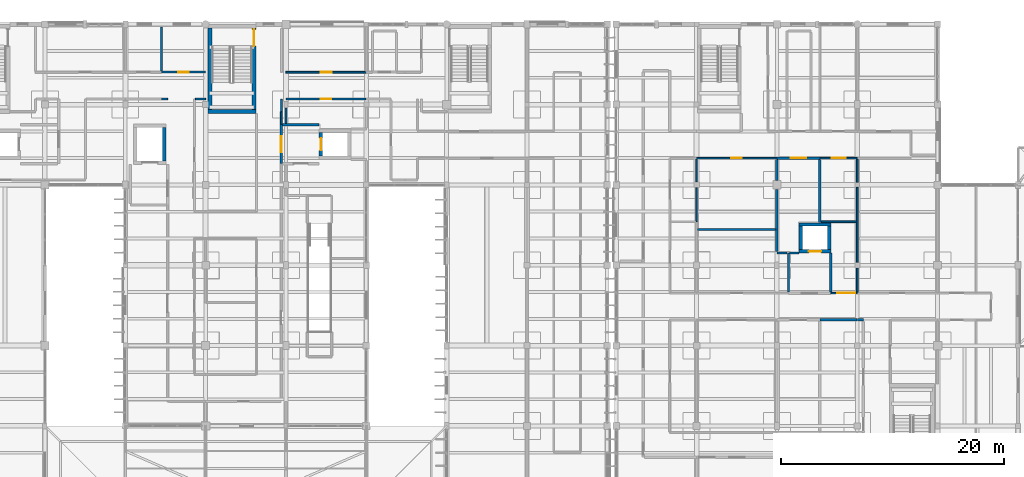
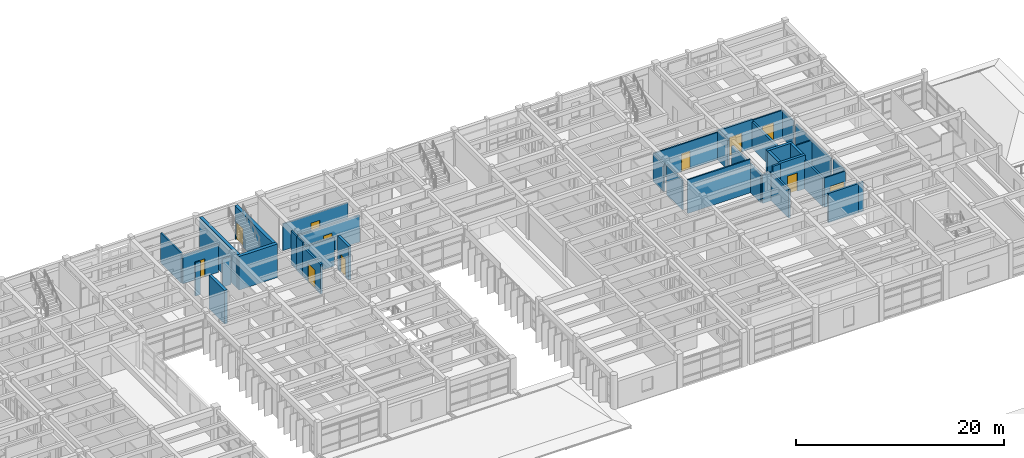
# One storey, part 79 of 100: 40 walls, 11 doors, 11 openings.
"""IFC4 building model written with IfcOpenShell, lengths in metres."""

from ifc_helpers import new_model, si_unit, direction, frame, frame_2d, origin, place, context, subcontext, project, spatial, rectangle, extrude, material, layer, layer_set, type_object, element, fill, save


model = new_model("IFC4")

# Units and contexts
model_context = context("Model", 3, precision=1e-05, world=origin(), true_north=direction((0.0, 1.0)))
body_context = subcontext(model_context, "Body", "Model", "MODEL_VIEW")
ifc_project = project(units=[si_unit("LENGTHUNIT", "METRE"), si_unit("AREAUNIT", "SQUARE_METRE"), si_unit("VOLUMEUNIT", "CUBIC_METRE"), si_unit("PLANEANGLEUNIT", "RADIAN"), si_unit("MASSUNIT", "GRAM", prefix="KILO")], contexts=[model_context])

# Site, building, storey
site_placement = place(None, origin())
site = spatial("IfcSite", under=ifc_project, at=site_placement, CompositionType="ELEMENT")
building_placement = place(site_placement, origin())
building = spatial("IfcBuilding", under=site, at=building_placement, Name="Steenspoor Specialist Clinic", CompositionType="ELEMENT")
storey_placement = place(building_placement, frame((0.0, 0.0, 9.0)))
storey = spatial("IfcBuildingStorey", under=building, at=storey_placement, Name="L02", CompositionType="ELEMENT", Elevation=9.0)

# Walls
ifc_material_1 = material(Name="Gypsum acoustic clinical partition", Category="gypsum")
ifc_layer_1 = layer(ifc_material_1, 0.14990234375)
ifc_layer_set_1 = layer_set([ifc_layer_1], Name="Gypsum acoustic clinical partition")
wall_type_1 = type_object("IfcWallType", Name="W-CLIN-150", PredefinedType="PARTITIONING", material=ifc_layer_set_1)
wall_1_placement = place(storey_placement, frame((77.264892578125, 101.64990234375, 0.0), z_axis=(0.0, 0.0, 1.0), x_axis=(1.0, 0.0, 0.0)))
element("IfcWall", 1, at=wall_1_placement, inside=storey, type_object=wall_type_1, Name="Interior Partition IW-V4-L02-1315", PredefinedType="PARTITIONING", context=body_context, shape_type="SweptSolid", body=[
    extrude(rectangle(XDim=0.53515625, YDim=0.14990234375, at=frame_2d((0.267578125, 0.0))), origin(), (0.0, 0.0, 1.0), 3.949951171875),
])
for number, where, z_axis, x_axis, name in (
    (2, (87.969970703125, 99.364990234375, 0.0), (0.0, 0.0, 1.0), (0.0, 1.0, 0.0), "Interior Partition IW-V4-L02-1319"),
    (3, (88.0, 100.514892578125, 0.0), (0.0, 0.0, 1.0), (0.0, 1.0, 0.0), "Interior Partition IW-V4-L02-1320"),
):
    element("IfcWall", number, at=place(storey_placement, frame(where, z_axis=z_axis, x_axis=x_axis)), inside=storey, type_object=wall_type_1, Name=name, PredefinedType="PARTITIONING", context=body_context, shape_type="SweptSolid", body=[
        extrude(rectangle(XDim=1.135009765625, YDim=0.14990234375, at=frame_2d((0.5673828125, 0.0))), origin(), (0.0, 0.0, 1.0), 3.949951171875),
    ])
wall_2_placement = place(storey_placement, frame((80.2900390625, 101.64990234375, 0.0), z_axis=(0.0, 0.0, 1.0), x_axis=(1.0, 0.0, 0.0)))
element("IfcWall", 4, at=wall_2_placement, inside=storey, type_object=wall_type_1, Name="Interior Partition IW-V4-L02-1331", PredefinedType="PARTITIONING", context=body_context, shape_type="SweptSolid", body=[
    extrude(rectangle(XDim=0.909912109375, YDim=0.14990234375, at=frame_2d((0.455078125, 0.0))), origin(), (0.0, 0.0, 1.0), 3.284912109375),
])

# Wall, opening, door
wall_3_placement = place(storey_placement, frame((88.39990234375, 104.050048828125, 0.0), z_axis=(0.0, 0.0, 1.0), x_axis=(1.0, 0.0, 0.0)))
wall_3 = element("IfcWall", 5, at=wall_3_placement, inside=storey, type_object=wall_type_1, Name="Interior Partition IW-V4-L02-1347", PredefinedType="PARTITIONING", context=body_context, shape_type="SweptSolid", body=[
    extrude(rectangle(XDim=7.2001953125, YDim=0.14990234375, at=frame_2d((3.60009765625, 0.0))), origin(), (0.0, 0.0, 1.0), 3.135009765625),
])
opening_1_placement = place(wall_3_placement, frame((3.10009765625, 0.0, 0.0)))
opening_1 = element("IfcOpeningElement", 6, at=opening_1_placement, cuts=wall_3, Name="Opening D0251", PredefinedType="OPENING", context=body_context, shape_type="SweptSolid", body=[
    extrude(rectangle(XDim=1.0, YDim=2.14990234375, at=frame_2d((0.5, 1.074951171875))), frame((0.0, 0.0849609375, 0.0), z_axis=(0.0, -1.0, 0.0), x_axis=(1.0, 0.0, 0.0)), (0.0, 0.0, 1.0), 0.169921875),
])
ifc_material_2 = material(Name="Moisture-resistant HPL accessible WC door", Category="wood")
door_type_1 = type_object("IfcDoorType", Name="DT-AWC-100X215", OperationType="NOTDEFINED", PredefinedType="DOOR", material=ifc_material_2)
door_1_placement = place(opening_1_placement, origin())
door_1 = element("IfcDoor", 7, at=door_1_placement, inside=storey, type_object=door_type_1, Name="Clinical Door D0251", OperationType="SINGLE_SWING_RIGHT", OverallHeight=2.14990234375, OverallWidth=1.0, PredefinedType="DOOR", context=body_context, shape_type="SweptSolid", body=[
    extrude(rectangle(XDim=1.0, YDim=2.14990234375, at=frame_2d((0.5, 1.074951171875))), frame((0.0, 0.02490234375, 0.0), z_axis=(0.0, -1.0, 0.0), x_axis=(1.0, 0.0, 0.0)), (0.0, 0.0, 1.0), 0.050048828125),
])
fill(opening_1, door_1)

wall_4_placement = place(storey_placement, frame((125.199951171875, 96.35009765625, 0.0), z_axis=(0.0, 0.0, 1.0), x_axis=(1.0, 0.0, 0.0)))
wall_4 = element("IfcWall", 8, at=wall_4_placement, inside=storey, type_object=wall_type_1, Name="Interior Partition IW-V6-L02-1375", PredefinedType="PARTITIONING", context=body_context, shape_type="SweptSolid", body=[
    extrude(rectangle(XDim=7.18505859375, YDim=0.14990234375, at=frame_2d((3.592529296875, 0.0))), origin(), (0.0, 0.0, 1.0), 3.215087890625),
])
opening_2_placement = place(wall_4_placement, frame((3.117431640625, 0.0, 0.0)))
opening_2 = element("IfcOpeningElement", 9, at=opening_2_placement, cuts=wall_4, Name="Opening D0474", PredefinedType="OPENING", context=body_context, shape_type="SweptSolid", body=[
    extrude(rectangle(XDim=0.949951171875, YDim=2.10009765625, at=frame_2d((0.47509765625, 1.050048828125))), frame((0.0, 0.0849609375, 0.0), z_axis=(0.0, -1.0, 0.0), x_axis=(1.0, 0.0, 0.0)), (0.0, 0.0, 1.0), 0.169921875),
])
ifc_material_3 = material(Name="Moisture-resistant HPL sanitary door", Category="wood")
door_type_2 = type_object("IfcDoorType", Name="DT-WC-095X210", OperationType="NOTDEFINED", PredefinedType="DOOR", material=ifc_material_3)
door_2_placement = place(opening_2_placement, origin())
door_2 = element("IfcDoor", 10, at=door_2_placement, inside=storey, type_object=door_type_2, Name="Clinical Door D0474", OperationType="SINGLE_SWING_LEFT", OverallHeight=2.10009765625, OverallWidth=0.949951171875, PredefinedType="DOOR", context=body_context, shape_type="SweptSolid", body=[
    extrude(rectangle(XDim=0.949951171875, YDim=2.10009765625, at=frame_2d((0.47509765625, 1.050048828125))), frame((0.0, 0.02490234375, 0.0), z_axis=(0.0, -1.0, 0.0), x_axis=(1.0, 0.0, 0.0)), (0.0, 0.0, 1.0), 0.050048828125),
])
fill(opening_2, door_2)

wall_5_placement = place(storey_placement, frame((136.264892578125, 96.35009765625, 0.0), z_axis=(0.0, 0.0, 1.0), x_axis=(1.0, 0.0, 0.0)))
wall_5 = element("IfcWall", 11, at=wall_5_placement, inside=storey, type_object=wall_type_1, Name="Interior Partition IW-V6-L02-1376", PredefinedType="PARTITIONING", context=body_context, shape_type="SweptSolid", body=[
    extrude(rectangle(XDim=3.320068359375, YDim=0.14990234375, at=frame_2d((1.66015625, 0.0))), origin(), (0.0, 0.0, 1.0), 3.284912109375),
])
opening_3_placement = place(wall_5_placement, frame((1.034912109375, 0.0, 0.0)))
opening_3 = element("IfcOpeningElement", 12, at=opening_3_placement, cuts=wall_5, Name="Opening D0476", PredefinedType="OPENING", context=body_context, shape_type="SweptSolid", body=[
    extrude(rectangle(XDim=1.25, YDim=2.14990234375, at=frame_2d((0.625, 1.074951171875))), frame((0.0, 0.0849609375, 0.0), z_axis=(0.0, -1.0, 0.0), x_axis=(1.0, 0.0, 0.0)), (0.0, 0.0, 1.0), 0.169921875),
])
ifc_material_4 = material(Name="Hygienic HPL clinical timber door", Category="wood")
door_type_3 = type_object("IfcDoorType", Name="DT-EXAM-125X215", OperationType="NOTDEFINED", PredefinedType="DOOR", material=ifc_material_4)
door_3_placement = place(opening_3_placement, origin())
door_3 = element("IfcDoor", 13, at=door_3_placement, inside=storey, type_object=door_type_3, Name="Clinical Door D0476", OperationType="SINGLE_SWING_LEFT", OverallHeight=2.14990234375, OverallWidth=1.25, PredefinedType="DOOR", context=body_context, shape_type="SweptSolid", body=[
    extrude(rectangle(XDim=1.25, YDim=2.14990234375, at=frame_2d((0.625, 1.074951171875))), frame((0.0, 0.02490234375, 0.0), z_axis=(0.0, -1.0, 0.0), x_axis=(1.0, 0.0, 0.0)), (0.0, 0.0, 1.0), 0.050048828125),
])
fill(opening_3, door_3)

# Walls
wall_6_placement = place(storey_placement, frame((125.2900390625, 89.949951171875, 0.0), z_axis=(0.0, 0.0, 1.0), x_axis=(1.0, 0.0, 0.0)))
element("IfcWall", 14, at=wall_6_placement, inside=storey, type_object=wall_type_1, Name="Interior Partition IW-V6-L02-1494", PredefinedType="PARTITIONING", context=body_context, shape_type="SweptSolid", body=[
    extrude(rectangle(XDim=6.98486328125, YDim=0.14990234375, at=frame_2d((3.492431640625, 0.0))), origin(), (0.0, 0.0, 1.0), 3.949951171875),
])
wall_7_placement = place(storey_placement, frame((139.60009765625, 84.340087890625, 0.0), z_axis=(0.0, 0.0, 1.0), x_axis=(0.0, 1.0, 0.0)))
element("IfcWall", 15, at=wall_7_placement, inside=storey, type_object=wall_type_1, Name="Interior Partition IW-V6-L02-1495", PredefinedType="PARTITIONING", context=body_context, shape_type="SweptSolid", body=[
    extrude(rectangle(XDim=2.169921875, YDim=0.14990234375, at=frame_2d((1.0849609375, 0.0))), origin(), (0.0, 0.0, 1.0), 3.455078125),
])
wall_8_placement = place(storey_placement, frame((139.60009765625, 86.989990234375, 0.0), z_axis=(0.0, 0.0, 1.0), x_axis=(0.0, 1.0, 0.0)))
element("IfcWall", 16, at=wall_8_placement, inside=storey, type_object=wall_type_1, Name="Interior Partition IW-V6-L02-1496", PredefinedType="PARTITIONING", context=body_context, shape_type="SweptSolid", body=[
    extrude(rectangle(XDim=6.7451171875, YDim=0.14990234375, at=frame_2d((3.37255859375, 0.0))), origin(), (0.0, 0.0, 1.0), 3.215087890625),
])
wall_9_placement = place(storey_placement, frame((139.60009765625, 94.1650390625, 0.0), z_axis=(0.0, 0.0, 1.0), x_axis=(0.0, 1.0, 0.0)))
element("IfcWall", 17, at=wall_9_placement, inside=storey, type_object=wall_type_1, Name="Interior Partition IW-V6-L02-1497", PredefinedType="PARTITIONING", context=body_context, shape_type="SweptSolid", body=[
    extrude(rectangle(XDim=2.094970703125, YDim=0.14990234375, at=frame_2d((1.04736328125, 0.0))), origin(), (0.0, 0.0, 1.0), 3.284912109375),
])
wall_10_placement = place(storey_placement, frame((136.375, 90.64990234375, 0.0), z_axis=(0.0, 0.0, 1.0), x_axis=(1.0, 0.0, 0.0)))
element("IfcWall", 18, at=wall_10_placement, inside=storey, type_object=wall_type_1, Name="Interior Partition IW-V6-L02-1498", PredefinedType="PARTITIONING", context=body_context, shape_type="SweptSolid", body=[
    extrude(rectangle(XDim=3.135009765625, YDim=0.14990234375, at=frame_2d((1.5673828125, 0.0))), origin(), (0.0, 0.0, 1.0), 3.215087890625),
])
wall_11_placement = place(storey_placement, frame((125.199951171875, 90.6650390625, 0.0), z_axis=(0.0, 0.0, 1.0), x_axis=(0.0, 1.0, 0.0)))
element("IfcWall", 19, at=wall_11_placement, inside=storey, type_object=wall_type_1, Name="Interior Partition IW-V6-L02-1502", PredefinedType="PARTITIONING", context=body_context, shape_type="SweptSolid", body=[
    extrude(rectangle(XDim=3.02001953125, YDim=0.14990234375, at=frame_2d((1.510009765625, 0.0))), origin(), (0.0, 0.0, 1.0), 3.455078125),
])
wall_12_placement = place(storey_placement, frame((125.199951171875, 94.215087890625, 0.0), z_axis=(0.0, 0.0, 1.0), x_axis=(0.0, 1.0, 0.0)))
element("IfcWall", 20, at=wall_12_placement, inside=storey, type_object=wall_type_1, Name="Interior Partition IW-V6-L02-1503", PredefinedType="PARTITIONING", context=body_context, shape_type="SweptSolid", body=[
    extrude(rectangle(XDim=2.044921875, YDim=0.14990234375, at=frame_2d((1.0224609375, 0.0))), origin(), (0.0, 0.0, 1.0), 3.215087890625),
])
ifc_material_5 = material(Name="Fire-rated clay blockwork masonry", Category="masonry")
ifc_layer_2 = layer(ifc_material_5, 0.219970703125)
ifc_layer_set_2 = layer_set([ifc_layer_2], Name="Fire-rated clay blockwork masonry")
wall_type_2 = type_object("IfcWallType", Name="W-FIRE-220", PredefinedType="PARTITIONING", material=ifc_layer_set_2)
wall_13_placement = place(storey_placement, frame((139.60009765625, 81.85009765625, 0.0), z_axis=(0.0, 0.0, 1.0), x_axis=(1.0, 0.0, 0.0)))
element("IfcWall", 21, at=wall_13_placement, inside=storey, type_object=wall_type_2, Name="Interior Partition IW-V6-L02-1275", PredefinedType="PARTITIONING", context=body_context, shape_type="SweptSolid", body=[
    extrude(rectangle(XDim=0.5498046875, YDim=0.219970703125, at=frame_2d((0.27490234375, 0.0))), origin(), (0.0, 0.0, 1.0), 3.455078125),
])
wall_14_placement = place(storey_placement, frame((136.264892578125, 81.85009765625, 0.0), z_axis=(0.0, 0.0, 1.0), x_axis=(1.0, 0.0, 0.0)))
element("IfcWall", 22, at=wall_14_placement, inside=storey, type_object=wall_type_2, Name="Interior Partition IW-V6-L02-1279", PredefinedType="PARTITIONING", context=body_context, shape_type="SweptSolid", body=[
    extrude(rectangle(XDim=3.320068359375, YDim=0.219970703125, at=frame_2d((1.66015625, 0.0))), origin(), (0.0, 0.0, 1.0), 3.455078125),
])

# Wall, opening, door
wall_15_placement = place(storey_placement, frame((132.39990234375, 96.35009765625, 0.0), z_axis=(0.0, 0.0, 1.0), x_axis=(1.0, 0.0, 0.0)))
wall_15 = element("IfcWall", 23, at=wall_15_placement, inside=storey, type_object=wall_type_2, Name="Interior Partition IW-V6-L02-1286", PredefinedType="PARTITIONING", context=body_context, shape_type="SweptSolid", body=[
    extrude(rectangle(XDim=3.85009765625, YDim=0.219970703125, at=frame_2d((1.925048828125, 0.0))), origin(), (0.0, 0.0, 1.0), 3.4150390625),
])
opening_4_placement = place(wall_15_placement, frame((1.22509765625, 0.0, 0.0)))
opening_4 = element("IfcOpeningElement", 24, at=opening_4_placement, cuts=wall_15, Name="Opening D0473", PredefinedType="OPENING", context=body_context, shape_type="SweptSolid", body=[
    extrude(rectangle(XDim=1.39990234375, YDim=2.199951171875, at=frame_2d((0.699951171875, 1.10009765625))), frame((0.0, 0.1201171875, 0.0), z_axis=(0.0, -1.0, 0.0), x_axis=(1.0, 0.0, 0.0)), (0.0, 0.0, 1.0), 0.239990234375),
])
ifc_material_6 = material(Name="Fire-rated clinical laminate door", Category="steel")
door_type_4 = type_object("IfcDoorType", Name="DT-LAB-140X220", OperationType="NOTDEFINED", PredefinedType="DOOR", material=ifc_material_6)
door_4_placement = place(opening_4_placement, origin())
door_4 = element("IfcDoor", 25, at=door_4_placement, inside=storey, type_object=door_type_4, Name="Clinical Door D0473", OperationType="SINGLE_SWING_RIGHT", OverallHeight=2.199951171875, OverallWidth=1.39990234375, PredefinedType="DOOR", context=body_context, shape_type="SweptSolid", body=[
    extrude(rectangle(XDim=1.39990234375, YDim=2.199951171875, at=frame_2d((0.699951171875, 1.10009765625))), frame((0.0, 0.02490234375, 0.0), z_axis=(0.0, -1.0, 0.0), x_axis=(1.0, 0.0, 0.0)), (0.0, 0.0, 1.0), 0.050048828125),
])
fill(opening_4, door_4)

# Walls
wall_16_placement = place(storey_placement, frame((132.39990234375, 87.85009765625, 0.0), z_axis=(0.0, 0.0, 1.0), x_axis=(1.0, 0.0, 0.0)))
element("IfcWall", 26, at=wall_16_placement, inside=storey, type_object=wall_type_2, Name="Interior Partition IW-V6-L02-1440", PredefinedType="PARTITIONING", context=body_context, shape_type="SweptSolid", body=[
    extrude(rectangle(XDim=0.91015625, YDim=0.219970703125, at=frame_2d((0.455078125, 0.0))), origin(), (0.0, 0.0, 1.0), 3.284912109375),
])
wall_17_placement = place(storey_placement, frame((136.25, 90.56494140625, 0.0), z_axis=(0.0, 0.0, 1.0), x_axis=(0.0, 1.0, 0.0)))
element("IfcWall", 27, at=wall_17_placement, inside=storey, type_object=wall_type_2, Name="Interior Partition IW-V6-L02-1441", PredefinedType="PARTITIONING", context=body_context, shape_type="SweptSolid", body=[
    extrude(rectangle(XDim=5.66015625, YDim=0.219970703125, at=frame_2d((2.830078125, 0.0))), origin(), (0.0, 0.0, 1.0), 3.135009765625),
])
wall_18_placement = place(storey_placement, frame((133.5400390625, 87.85009765625, 0.0), z_axis=(0.0, 0.0, 1.0), x_axis=(1.0, 0.0, 0.0)))
element("IfcWall", 28, at=wall_18_placement, inside=storey, type_object=wall_type_2, Name="Interior Partition IW-V6-L02-1442", PredefinedType="PARTITIONING", context=body_context, shape_type="SweptSolid", body=[
    extrude(rectangle(XDim=0.820068359375, YDim=0.219970703125, at=frame_2d((0.41015625, 0.0))), origin(), (0.0, 0.0, 1.0), 3.949951171875),
])
wall_19_placement = place(storey_placement, frame((132.39990234375, 87.97509765625, 0.0), z_axis=(0.0, 0.0, 1.0), x_axis=(0.0, 1.0, 0.0)))
element("IfcWall", 29, at=wall_19_placement, inside=storey, type_object=wall_type_2, Name="Interior Partition IW-V6-L02-1443", PredefinedType="PARTITIONING", context=body_context, shape_type="SweptSolid", body=[
    extrude(rectangle(XDim=5.5849609375, YDim=0.219970703125, at=frame_2d((2.79248046875, 0.0))), origin(), (0.0, 0.0, 1.0), 3.284912109375),
])
wall_20_placement = place(storey_placement, frame((132.39990234375, 94.340087890625, 0.0), z_axis=(0.0, 0.0, 1.0), x_axis=(0.0, 1.0, 0.0)))
element("IfcWall", 30, at=wall_20_placement, inside=storey, type_object=wall_type_2, Name="Interior Partition IW-V6-L02-1444", PredefinedType="PARTITIONING", context=body_context, shape_type="SweptSolid", body=[
    extrude(rectangle(XDim=1.885009765625, YDim=0.219970703125, at=frame_2d((0.9423828125, 0.0))), origin(), (0.0, 0.0, 1.0), 3.4150390625),
])

# Wall, opening, door
ifc_material_7 = material(Name="Gypsum studio partition board", Category="gypsum")
ifc_layer_3 = layer(ifc_material_7, 0.1201171875)
ifc_layer_set_3 = layer_set([ifc_layer_3], Name="Gypsum studio partition board")
wall_type_3 = type_object("IfcWallType", Name="W-PART-120", PredefinedType="PARTITIONING", material=ifc_layer_set_3)
wall_21_placement = place(storey_placement, frame((137.239990234375, 84.25, 0.0), z_axis=(0.0, 0.0, 1.0), x_axis=(1.0, 0.0, 0.0)))
wall_21 = element("IfcWall", 31, at=wall_21_placement, inside=storey, type_object=wall_type_3, Name="Interior Partition IW-V6-L02-1409", PredefinedType="PARTITIONING", context=body_context, shape_type="SweptSolid", body=[
    extrude(rectangle(XDim=2.344970703125, YDim=0.1201171875, at=frame_2d((1.17236328125, 0.0))), origin(), (0.0, 0.0, 1.0), 3.455078125),
])
opening_5_placement = place(wall_21_placement, frame((0.5810546875, 0.0, 0.0)))
opening_5 = element("IfcOpeningElement", 32, at=opening_5_placement, cuts=wall_21, Name="Opening D0469", PredefinedType="OPENING", context=body_context, shape_type="SweptSolid", body=[
    extrude(rectangle(XDim=1.60009765625, YDim=2.25, at=frame_2d((0.800048828125, 1.125))), frame((0.0, 0.070068359375, 0.0), z_axis=(0.0, -1.0, 0.0), x_axis=(1.0, 0.0, 0.0)), (0.0, 0.0, 1.0), 0.14013671875),
])
door_type_5 = type_object("IfcDoorType", Name="DT-PROC-160X225", OperationType="NOTDEFINED", PredefinedType="DOOR", material=ifc_material_4)
door_5_placement = place(opening_5_placement, origin())
door_5 = element("IfcDoor", 33, at=door_5_placement, inside=storey, type_object=door_type_5, Name="Clinical Door D0469", OperationType="SINGLE_SWING_RIGHT", OverallHeight=2.25, OverallWidth=1.60009765625, PredefinedType="DOOR", context=body_context, shape_type="SweptSolid", body=[
    extrude(rectangle(XDim=1.60009765625, YDim=2.25, at=frame_2d((0.800048828125, 1.125))), frame((0.0, 0.02490234375, 0.0), z_axis=(0.0, -1.0, 0.0), x_axis=(1.0, 0.0, 0.0)), (0.0, 0.0, 1.0), 0.050048828125),
])
fill(opening_5, door_5)

ifc_material_8 = material(Name="Moisture-resistant gypsum plumbing wall", Category="gypsum")
ifc_layer_4 = layer(ifc_material_8, 0.179931640625)
ifc_layer_set_4 = layer_set([ifc_layer_4], Name="Moisture-resistant gypsum plumbing wall")
wall_type_4 = type_object("IfcWallType", Name="W-PLUMB-180", PredefinedType="PLUMBINGWALL", material=ifc_layer_set_4)
wall_22_placement = place(storey_placement, frame((88.39990234375, 101.64990234375, 0.0), z_axis=(0.0, 0.0, 1.0), x_axis=(1.0, 0.0, 0.0)))
wall_22 = element("IfcWall", 34, at=wall_22_placement, inside=storey, type_object=wall_type_4, Name="Interior Partition IW-V4-L02-1292", PredefinedType="PLUMBINGWALL", context=body_context, shape_type="SweptSolid", body=[
    extrude(rectangle(XDim=7.18505859375, YDim=0.179931640625, at=frame_2d((3.592529296875, 0.0))), origin(), (0.0, 0.0, 1.0), 3.135009765625),
])
opening_6_placement = place(wall_22_placement, frame((3.117431640625, 0.0, 0.0)))
opening_6 = element("IfcOpeningElement", 35, at=opening_6_placement, cuts=wall_22, Name="Opening D0248", PredefinedType="OPENING", context=body_context, shape_type="SweptSolid", body=[
    extrude(rectangle(XDim=0.949951171875, YDim=2.10009765625, at=frame_2d((0.47509765625, 1.050048828125))), frame((0.0, 0.10009765625, 0.0), z_axis=(0.0, -1.0, 0.0), x_axis=(1.0, 0.0, 0.0)), (0.0, 0.0, 1.0), 0.199951171875),
])
door_6_placement = place(opening_6_placement, origin())
door_6 = element("IfcDoor", 36, at=door_6_placement, inside=storey, type_object=door_type_2, Name="Clinical Door D0248", OperationType="SINGLE_SWING_LEFT", OverallHeight=2.10009765625, OverallWidth=0.949951171875, PredefinedType="DOOR", context=body_context, shape_type="SweptSolid", body=[
    extrude(rectangle(XDim=0.949951171875, YDim=2.10009765625, at=frame_2d((0.47509765625, 1.050048828125))), frame((0.0, 0.02490234375, 0.0), z_axis=(0.0, -1.0, 0.0), x_axis=(1.0, 0.0, 0.0)), (0.0, 0.0, 1.0), 0.050048828125),
])
fill(opening_6, door_6)

wall_23_placement = place(storey_placement, frame((77.25, 104.050048828125, 0.0), z_axis=(0.0, 0.0, 1.0), x_axis=(1.0, 0.0, 0.0)))
wall_23 = element("IfcWall", 37, at=wall_23_placement, inside=storey, type_object=wall_type_4, Name="Interior Partition IW-V4-L02-1293", PredefinedType="PLUMBINGWALL", context=body_context, shape_type="SweptSolid", body=[
    extrude(rectangle(XDim=3.949951171875, YDim=0.179931640625, at=frame_2d((1.97509765625, 0.0))), origin(), (0.0, 0.0, 1.0), 3.284912109375),
])
opening_7_placement = place(wall_23_placement, frame((1.5, 0.0, 0.0)))
opening_7 = element("IfcOpeningElement", 38, at=opening_7_placement, cuts=wall_23, Name="Opening D0250", PredefinedType="OPENING", context=body_context, shape_type="SweptSolid", body=[
    extrude(rectangle(XDim=0.949951171875, YDim=2.10009765625, at=frame_2d((0.47509765625, 1.050048828125))), frame((0.0, 0.10009765625, 0.0), z_axis=(0.0, -1.0, 0.0), x_axis=(1.0, 0.0, 0.0)), (0.0, 0.0, 1.0), 0.199951171875),
])
door_7_placement = place(opening_7_placement, origin())
door_7 = element("IfcDoor", 39, at=door_7_placement, inside=storey, type_object=door_type_2, Name="Clinical Door D0250", OperationType="SINGLE_SWING_LEFT", OverallHeight=2.10009765625, OverallWidth=0.949951171875, PredefinedType="DOOR", context=body_context, shape_type="SweptSolid", body=[
    extrude(rectangle(XDim=0.949951171875, YDim=2.10009765625, at=frame_2d((0.47509765625, 1.050048828125))), frame((0.0, 0.02490234375, 0.0), z_axis=(0.0, -1.0, 0.0), x_axis=(1.0, 0.0, 0.0)), (0.0, 0.0, 1.0), 0.050048828125),
])
fill(opening_7, door_7)

# Walls
wall_24_placement = place(storey_placement, frame((88.39990234375, 99.465087890625, 0.0), z_axis=(0.0, 0.0, 1.0), x_axis=(0.0, 1.0, 0.0)))
element("IfcWall", 40, at=wall_24_placement, inside=storey, type_object=wall_type_4, Name="Interior Partition IW-V4-L02-1447", PredefinedType="PLUMBINGWALL", context=body_context, shape_type="SweptSolid", body=[
    extrude(rectangle(XDim=1.39501953125, YDim=0.179931640625, at=frame_2d((0.697509765625, 0.0))), origin(), (0.0, 0.0, 1.0), 3.385009765625),
])
wall_25_placement = place(storey_placement, frame((77.25, 104.155029296875, 0.0), z_axis=(0.0, 0.0, 1.0), x_axis=(0.0, 1.0, 0.0)))
element("IfcWall", 41, at=wall_25_placement, inside=storey, type_object=wall_type_4, Name="Interior Partition IW-V4-L02-1452", PredefinedType="PLUMBINGWALL", context=body_context, shape_type="SweptSolid", body=[
    extrude(rectangle(XDim=3.9599609375, YDim=0.179931640625, at=frame_2d((1.97998046875, 0.0))), origin(), (0.0, 0.0, 1.0), 3.514892578125),
])

# Wall, opening, door
ifc_material_9 = material(Name="Gypsum acoustic smoke barrier board", Category="gypsum")
ifc_layer_5 = layer(ifc_material_9, 0.199951171875)
ifc_layer_set_5 = layer_set([ifc_layer_5], Name="Gypsum acoustic smoke barrier board")
wall_type_5 = type_object("IfcWallType", Name="W-SMOKE-200", PredefinedType="PARTITIONING", material=ifc_layer_set_5)
wall_26_placement = place(storey_placement, frame((87.97509765625, 95.85009765625, 0.0), z_axis=(0.0, 0.0, 1.0), x_axis=(0.0, 1.0, 0.0)))
wall_26 = element("IfcWall", 42, at=wall_26_placement, inside=storey, type_object=wall_type_5, Name="Interior Partition IW-V4-L02-1238", PredefinedType="PARTITIONING", context=body_context, shape_type="SweptSolid", body=[
    extrude(rectangle(XDim=3.5, YDim=0.199951171875, at=frame_2d((1.75, 0.0))), origin(), (0.0, 0.0, 1.0), 3.47509765625),
])
opening_8_placement = place(wall_26_placement, frame((1.050048828125, 0.0, 0.0)))
opening_8 = element("IfcOpeningElement", 43, at=opening_8_placement, cuts=wall_26, Name="Opening D0228", PredefinedType="OPENING", context=body_context, shape_type="SweptSolid", body=[
    extrude(rectangle(XDim=1.39990234375, YDim=2.199951171875, at=frame_2d((0.699951171875, 1.10009765625))), frame((0.0, 0.10986328125, 0.0), z_axis=(0.0, -1.0, 0.0), x_axis=(1.0, 0.0, 0.0)), (0.0, 0.0, 1.0), 0.219970703125),
])
door_8_placement = place(opening_8_placement, origin())
door_8 = element("IfcDoor", 44, at=door_8_placement, inside=storey, type_object=door_type_4, Name="Lift Lobby Fire Door D0228", OperationType="SINGLE_SWING_LEFT", OverallHeight=2.199951171875, OverallWidth=1.39990234375, PredefinedType="DOOR", context=body_context, shape_type="SweptSolid", body=[
    extrude(rectangle(XDim=1.39990234375, YDim=2.199951171875, at=frame_2d((0.699951171875, 1.10009765625))), frame((0.0, 0.02490234375, 0.0), z_axis=(0.0, -1.0, 0.0), x_axis=(1.0, 0.0, 0.0)), (0.0, 0.0, 1.0), 0.050048828125),
])
fill(opening_8, door_8)

# Walls
wall_27_placement = place(storey_placement, frame((88.090087890625, 99.35009765625, 0.0), z_axis=(0.0, 0.0, 1.0), x_axis=(1.0, 0.0, 0.0)))
element("IfcWall", 45, at=wall_27_placement, inside=storey, type_object=wall_type_5, Name="Interior Partition IW-V4-L02-1248", PredefinedType="PARTITIONING", context=body_context, shape_type="SweptSolid", body=[
    extrude(rectangle(XDim=3.284912109375, YDim=0.199951171875, at=frame_2d((1.642578125, 0.0))), origin(), (0.0, 0.0, 1.0), 3.385009765625),
])
wall_28_placement = place(storey_placement, frame((137.22509765625, 84.364990234375, 0.0), z_axis=(0.0, 0.0, 1.0), x_axis=(0.0, 1.0, 0.0)))
element("IfcWall", 46, at=wall_28_placement, inside=storey, type_object=wall_type_5, Name="Interior Partition IW-V6-L02-1253", PredefinedType="PARTITIONING", context=body_context, shape_type="SweptSolid", body=[
    extrude(rectangle(XDim=3.469970703125, YDim=0.199951171875, at=frame_2d((1.73486328125, 0.0))), origin(), (0.0, 0.0, 1.0), 3.35498046875),
])
wall_29_placement = place(storey_placement, frame((133.425048828125, 84.364990234375, 0.0), z_axis=(0.0, 0.0, 1.0), x_axis=(0.0, 1.0, 0.0)))
element("IfcWall", 47, at=wall_29_placement, inside=storey, type_object=wall_type_5, Name="Interior Partition IW-V6-L02-1254", PredefinedType="PARTITIONING", context=body_context, shape_type="SweptSolid", body=[
    extrude(rectangle(XDim=3.485107421875, YDim=0.199951171875, at=frame_2d((1.74267578125, 0.0))), origin(), (0.0, 0.0, 1.0), 3.35498046875),
])
ifc_material_10 = material(Name="Concrete C40/50", Category="concrete")
ifc_layer_6 = layer(ifc_material_10, 0.300048828125)
ifc_layer_set_6 = layer_set([ifc_layer_6], Name="Concrete C40/50")
wall_type_6 = type_object("IfcWallType", Name="W-SW-300", PredefinedType="SHEAR", material=ifc_layer_set_6)
wall_30_placement = place(storey_placement, frame((77.5, 96.10009765625, 0.0), z_axis=(0.0, 0.0, 1.0), x_axis=(0.0, 1.0, 0.0)))
element("IfcWall", 48, at=wall_30_placement, inside=storey, type_object=wall_type_6, Name="Lift Shaft Shear Wall SW-EL-S1-L02-E", PredefinedType="SHEAR", context=body_context, shape_type="SweptSolid", body=[
    extrude(rectangle(XDim=3.0, YDim=0.300048828125, at=frame_2d((1.5, 0.0))), origin(), (0.0, 0.0, 1.0), 3.949951171875),
])

# Wall, opening, door
wall_31_placement = place(storey_placement, frame((91.52490234375, 96.550048828125, 0.0), z_axis=(0.0, 0.0, 1.0), x_axis=(0.0, 1.0, 0.0)))
wall_31 = element("IfcWall", 49, at=wall_31_placement, inside=storey, type_object=wall_type_6, Name="Lift Shaft Shear Wall SW-EL-P1-L02-W", PredefinedType="SHEAR", context=body_context, shape_type="SweptSolid", body=[
    extrude(rectangle(XDim=2.099853515625, YDim=0.300048828125, at=frame_2d((1.0498046875, 0.0))), origin(), (0.0, 0.0, 1.0), 3.949951171875),
])
opening_9_placement = place(wall_31_placement, frame((0.5, 0.0, 0.0)))
opening_9 = element("IfcOpeningElement", 50, at=opening_9_placement, cuts=wall_31, Name="Opening LD13", PredefinedType="OPENING", context=body_context, shape_type="SweptSolid", body=[
    extrude(rectangle(XDim=1.10009765625, YDim=2.14990234375, at=frame_2d((0.550048828125, 1.074951171875))), frame((0.0, 0.16015625, 0.0), z_axis=(0.0, -1.0, 0.0), x_axis=(1.0, 0.0, 0.0)), (0.0, 0.0, 1.0), 0.320068359375),
])
ifc_material_11 = material(Name="Stainless steel lift landing door", Category="steel")
door_type_6 = type_object("IfcDoorType", Name="DT-LIFT-P-110", OperationType="NOTDEFINED", PredefinedType="DOOR", material=ifc_material_11)
door_9_placement = place(opening_9_placement, origin())
door_9 = element("IfcDoor", 51, at=door_9_placement, inside=storey, type_object=door_type_6, Name="Lift Landing Door LD13", OperationType="SLIDING_TO_LEFT", OverallHeight=2.14990234375, OverallWidth=1.10009765625, PredefinedType="DOOR", context=body_context, shape_type="SweptSolid", body=[
    extrude(rectangle(XDim=1.10009765625, YDim=2.14990234375, at=frame_2d((0.550048828125, 1.074951171875))), frame((0.0, 0.02490234375, 0.0), z_axis=(0.0, -1.0, 0.0), x_axis=(1.0, 0.0, 0.0)), (0.0, 0.0, 1.0), 0.050048828125),
])
fill(opening_9, door_9)

wall_32_placement = place(storey_placement, frame((134.375, 88.0, 0.0), z_axis=(0.0, 0.0, 1.0), x_axis=(1.0, 0.0, 0.0)))
wall_32 = element("IfcWall", 52, at=wall_32_placement, inside=storey, type_object=wall_type_6, Name="Lift Shaft Shear Wall SW-EL-P3-L02-S", PredefinedType="SHEAR", context=body_context, shape_type="SweptSolid", body=[
    extrude(rectangle(XDim=2.85009765625, YDim=0.300048828125, at=frame_2d((1.425048828125, 0.0))), origin(), (0.0, 0.0, 1.0), 3.949951171875),
])
opening_10_placement = place(wall_32_placement, frame((0.875, 0.0, 0.0)))
opening_10 = element("IfcOpeningElement", 53, at=opening_10_placement, cuts=wall_32, Name="Opening LD24", PredefinedType="OPENING", context=body_context, shape_type="SweptSolid", body=[
    extrude(rectangle(XDim=1.10009765625, YDim=2.14990234375, at=frame_2d((0.550048828125, 1.074951171875))), frame((0.0, 0.16015625, 0.0), z_axis=(0.0, -1.0, 0.0), x_axis=(1.0, 0.0, 0.0)), (0.0, 0.0, 1.0), 0.320068359375),
])
door_10_placement = place(opening_10_placement, origin())
door_10 = element("IfcDoor", 54, at=door_10_placement, inside=storey, type_object=door_type_6, Name="Lift Landing Door LD24", OperationType="SLIDING_TO_LEFT", OverallHeight=2.14990234375, OverallWidth=1.10009765625, PredefinedType="DOOR", context=body_context, shape_type="SweptSolid", body=[
    extrude(rectangle(XDim=1.10009765625, YDim=2.14990234375, at=frame_2d((0.550048828125, 1.074951171875))), frame((0.0, 0.02490234375, 0.0), z_axis=(0.0, -1.0, 0.0), x_axis=(1.0, 0.0, 0.0)), (0.0, 0.0, 1.0), 0.050048828125),
])
fill(opening_10, door_10)

# Walls
wall_33_placement = place(storey_placement, frame((134.375, 90.39990234375, 0.0), z_axis=(0.0, 0.0, 1.0), x_axis=(1.0, 0.0, 0.0)))
element("IfcWall", 55, at=wall_33_placement, inside=storey, type_object=wall_type_6, Name="Lift Shaft Shear Wall SW-EL-P3-L02-N", PredefinedType="SHEAR", context=body_context, shape_type="SweptSolid", body=[
    extrude(rectangle(XDim=2.85009765625, YDim=0.300048828125, at=frame_2d((1.425048828125, 0.0))), origin(), (0.0, 0.0, 1.0), 3.949951171875),
])
for number, where, z_axis, x_axis, name in (
    (56, (134.52490234375, 88.14990234375, 0.0), (0.0, 0.0, 1.0), (0.0, 1.0, 0.0), "Lift Shaft Shear Wall SW-EL-P3-L02-W"),
    (57, (137.074951171875, 88.14990234375, 0.0), (0.0, 0.0, 1.0), (0.0, 1.0, 0.0), "Lift Shaft Shear Wall SW-EL-P3-L02-E"),
):
    element("IfcWall", number, at=place(storey_placement, frame(where, z_axis=z_axis, x_axis=x_axis)), inside=storey, type_object=wall_type_6, Name=name, PredefinedType="SHEAR", context=body_context, shape_type="SweptSolid", body=[
        extrude(rectangle(XDim=2.10009765625, YDim=0.300048828125, at=frame_2d((1.050048828125, 0.0))), origin(), (0.0, 0.0, 1.0), 3.949951171875),
    ])
ifc_layer_7 = layer(ifc_material_10, 0.35009765625)
ifc_layer_set_7 = layer_set([ifc_layer_7], Name="Concrete C40/50")
wall_type_7 = type_object("IfcWallType", Name="W-SW-350", PredefinedType="SHEAR", material=ifc_layer_set_7)
wall_34_placement = place(storey_placement, frame((81.39990234375, 100.52490234375, 0.0), z_axis=(0.0, 0.0, 1.0), x_axis=(1.0, 0.0, 0.0)))
element("IfcWall", 58, at=wall_34_placement, inside=storey, type_object=wall_type_7, Name="Core Shear Wall SW-ST-V4C-L02-S", PredefinedType="SHEAR", context=body_context, shape_type="SweptSolid", body=[
    extrude(rectangle(XDim=4.300048828125, YDim=0.35009765625, at=frame_2d((2.14990234375, 0.0))), origin(), (0.0, 0.0, 1.0), 3.949951171875),
])
wall_35_placement = place(storey_placement, frame((81.574951171875, 100.699951171875, 0.0), z_axis=(0.0, 0.0, 1.0), x_axis=(0.0, 1.0, 0.0)))
element("IfcWall", 59, at=wall_35_placement, inside=storey, type_object=wall_type_7, Name="Core Shear Wall SW-ST-V4C-L02-W", PredefinedType="SHEAR", context=body_context, shape_type="SweptSolid", body=[
    extrude(rectangle(XDim=7.300048828125, YDim=0.35009765625, at=frame_2d((3.64990234375, 0.0))), origin(), (0.0, 0.0, 1.0), 3.949951171875),
])

# Wall, opening, door
wall_36_placement = place(storey_placement, frame((85.52490234375, 100.699951171875, 0.0), z_axis=(0.0, 0.0, 1.0), x_axis=(0.0, 1.0, 0.0)))
wall_36 = element("IfcWall", 60, at=wall_36_placement, inside=storey, type_object=wall_type_7, Name="Core Shear Wall SW-ST-V4C-L02-E", PredefinedType="SHEAR", context=body_context, shape_type="SweptSolid", body=[
    extrude(rectangle(XDim=7.300048828125, YDim=0.35009765625, at=frame_2d((3.64990234375, 0.0))), origin(), (0.0, 0.0, 1.0), 3.949951171875),
])
opening_11_placement = place(wall_36_placement, frame((5.679931640625, 0.0, 0.0)))
opening_11 = element("IfcOpeningElement", 61, at=opening_11_placement, cuts=wall_36, Name="Opening SD023", PredefinedType="OPENING", context=body_context, shape_type="SweptSolid", body=[
    extrude(rectangle(XDim=1.5, YDim=2.14990234375, at=frame_2d((0.75, 1.074951171875))), frame((0.0, 0.18505859375, 0.0), z_axis=(0.0, -1.0, 0.0), x_axis=(1.0, 0.0, 0.0)), (0.0, 0.0, 1.0), 0.3701171875),
])
ifc_material_12 = material(Name="Fire-rated steel acoustic door", Category="steel")
door_type_7 = type_object("IfcDoorType", Name="DT-STAIR-150X215", OperationType="NOTDEFINED", PredefinedType="DOOR", material=ifc_material_12)
door_11_placement = place(opening_11_placement, origin())
door_11 = element("IfcDoor", 62, at=door_11_placement, inside=storey, type_object=door_type_7, Name="Exit Stair Fire Door SD023", OperationType="SINGLE_SWING_RIGHT", OverallHeight=2.14990234375, OverallWidth=1.5, PredefinedType="DOOR", context=body_context, shape_type="SweptSolid", body=[
    extrude(rectangle(XDim=1.5, YDim=2.14990234375, at=frame_2d((0.75, 1.074951171875))), frame((0.0, 0.02490234375, 0.0), z_axis=(0.0, -1.0, 0.0), x_axis=(1.0, 0.0, 0.0)), (0.0, 0.0, 1.0), 0.050048828125),
])
fill(opening_11, door_11)

save(model, "model.ifc")
